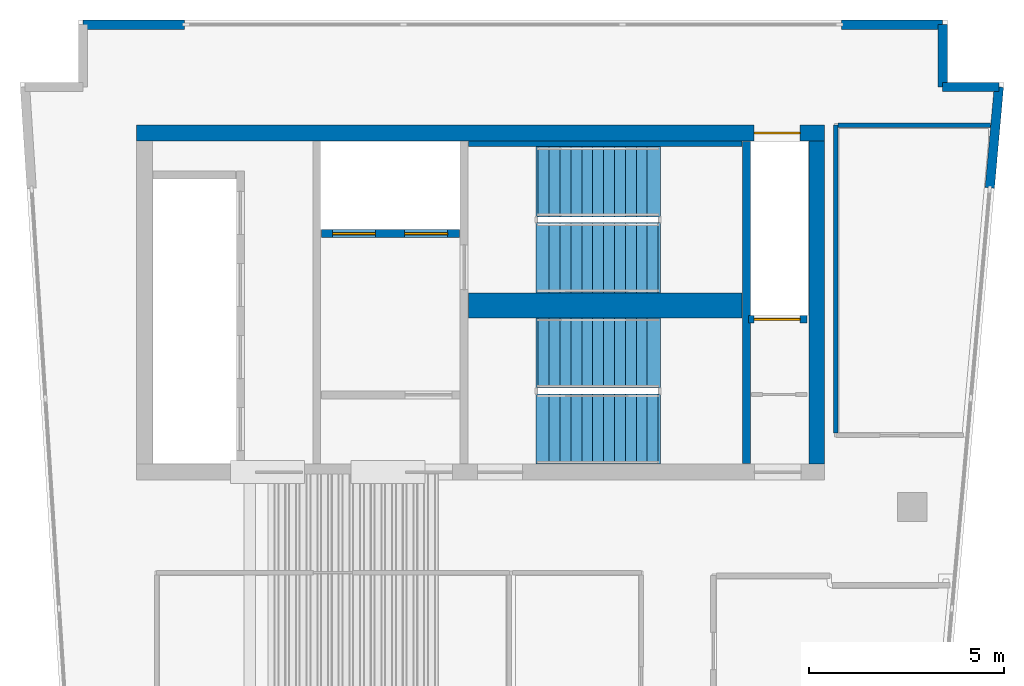
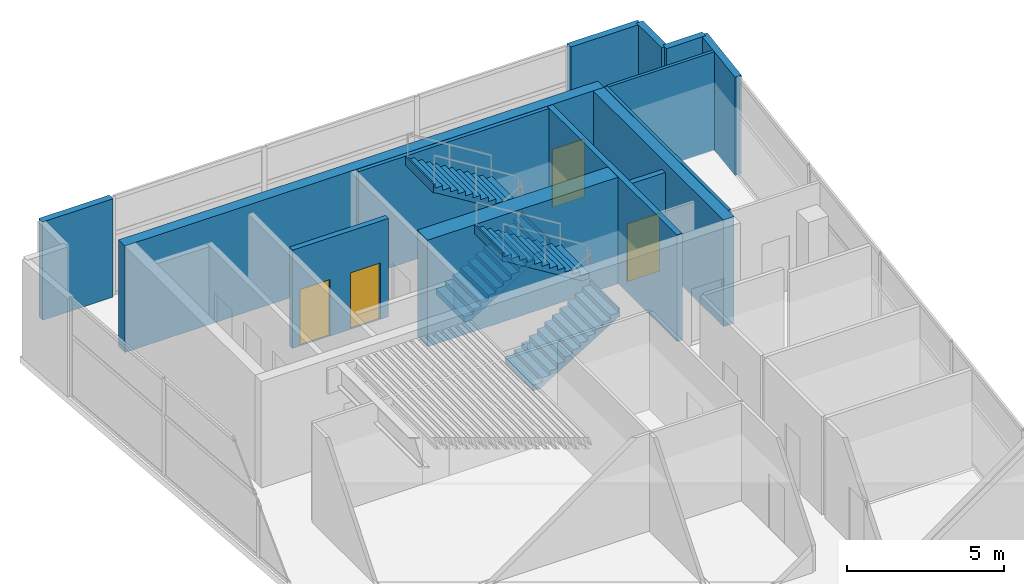
# One storey, part 5 of 7: 14 walls, 4 doors, 4 stair flights, 4 openings, 2 elements without a shape of their own.
"""IFC4 building model written with IfcOpenShell, lengths in metres."""

from ifc_helpers import new_model, si_unit, direction, frame, frame_2d, origin, place, context, subcontext, project, spatial, polyline, rectangle, outline, extrude, material, layer, layer_set, type_object, element, fill, aggregate, save


model = new_model("IFC4")

# Units and contexts
model_context = context("Model", 3, precision=1e-05, world=origin(), true_north=direction((0.0, 1.0)))
body_context = subcontext(model_context, "Body", "Model", "MODEL_VIEW")
ifc_project = project(units=[si_unit("LENGTHUNIT", "METRE"), si_unit("AREAUNIT", "SQUARE_METRE"), si_unit("VOLUMEUNIT", "CUBIC_METRE"), si_unit("PLANEANGLEUNIT", "RADIAN"), si_unit("MASSUNIT", "GRAM", prefix="KILO")], contexts=[model_context])

# Site, building, storey
site_placement = place(None, origin())
site = spatial("IfcSite", under=ifc_project, at=site_placement, CompositionType="ELEMENT")
building_placement = place(site_placement, origin())
building = spatial("IfcBuilding", under=site, at=building_placement, Name="Caeloran Harvest Quay", CompositionType="ELEMENT")
storey_placement = place(building_placement, frame((0.0, 0.0, 319.89990234375)))
storey = spatial("IfcBuildingStorey", under=building, at=storey_placement, Name="L77", CompositionType="ELEMENT", Elevation=319.89990234375)

# Walls
ifc_material_1 = material(Name="Precast concrete C50/60", Category="concrete")
ifc_layer_1 = layer(ifc_material_1, 0.239990234375, Name="Precast concrete C50/60")
ifc_layer_set_1 = layer_set([ifc_layer_1], Name="Precast concrete C50/60")
wall_type_1 = type_object("IfcWallType", Name="ENV-WALL-EW-240", PredefinedType="STANDARD", material=ifc_layer_set_1)
for number, where, z_axis, x_axis, name in (
    (1, (4.219970703125, 43.3798828125, 0.0), (0.0, 0.0, 1.0), (1.0, 0.0, 0.0), "L77 Exterior Facade Corner Pier Wall 6A"),
    (2, (23.679931640625, 43.3798828125, 0.0), (0.0, 0.0, 1.0), (1.0, 0.0, 0.0), "L77 Exterior Facade Corner Pier Wall 6B"),
):
    element("IfcWall", number, at=place(storey_placement, frame(where, z_axis=z_axis, x_axis=x_axis)), inside=storey, type_object=wall_type_1, Name=name, PredefinedType="STANDARD", context=body_context, shape_type="SweptSolid", body=[
        extrude(rectangle(XDim=2.60009765625, YDim=0.239990234375, at=frame_2d((1.300048828125, 0.0))), origin(), (0.0, 0.0, 1.0), 3.830078125),
    ])
wall_1_placement = place(storey_placement, frame((26.280029296875, 43.3798828125, 0.0), z_axis=(0.0, 0.0, 1.0), x_axis=(0.0, -1.0, 0.0)))
element("IfcWall", 3, at=wall_1_placement, inside=storey, type_object=wall_type_1, Name="L77 Exterior Precast Concrete Facade Wall 7", PredefinedType="STANDARD", context=body_context, shape_type="SweptSolid", body=[
    extrude(rectangle(XDim=1.599853515625, YDim=0.239990234375, at=frame_2d((0.7998046875, 0.0))), origin(), (0.0, 0.0, 1.0), 3.830078125),
])
wall_2_placement = place(storey_placement, frame((26.280029296875, 41.780029296875, 0.0), z_axis=(0.0, 0.0, 1.0), x_axis=(1.0, 0.0, 0.0)))
element("IfcWall", 4, at=wall_2_placement, inside=storey, type_object=wall_type_1, Name="L77 Exterior Precast Concrete Facade Wall 8", PredefinedType="STANDARD", context=body_context, shape_type="SweptSolid", body=[
    extrude(rectangle(XDim=1.4443359375, YDim=0.239990234375, at=frame_2d((0.72216796875, 0.0))), origin(), (0.0, 0.0, 1.0), 3.830078125),
])
wall_3_placement = place(storey_placement, frame((27.724365234375, 41.780029296875, 0.0), z_axis=(0.0, 0.0, 1.0), x_axis=(-0.089765303723, -0.995962946222, 0.0)))
element("IfcWall", 5, at=wall_3_placement, inside=storey, type_object=wall_type_1, Name="L77 Exterior Facade Corner Pier Wall 9A", PredefinedType="STANDARD", context=body_context, shape_type="SweptSolid", body=[
    extrude(rectangle(XDim=2.60009765625, YDim=0.239990234375, at=frame_2d((1.300048828125, 0.0))), origin(), (0.0, 0.0, 1.0), 3.830078125),
])
ifc_material_2 = material(Name="Single-Stud Acoustic Gypsum Office Partition", Category="gypsum")
ifc_layer_2 = layer(ifc_material_2, 0.112060546875, Name="Single-Stud Acoustic Gypsum Office Partition")
ifc_layer_set_2 = layer_set([ifc_layer_2], Name="Single-Stud Acoustic Gypsum Office Partition")
wall_type_2 = type_object("IfcWallType", Name="INT-WALL-PW-112", PredefinedType="PARTITIONING", material=ifc_layer_set_2)
wall_4_placement = place(storey_placement, frame((23.5400390625, 32.90087890625, 0.0), z_axis=(0.0, 0.0, 1.0), x_axis=(0.0, 1.0, 0.0)))
element("IfcWall", 6, at=wall_4_placement, inside=storey, type_object=wall_type_2, Name="L77 Bioinformatics and Crop Phenotyping Laboratory Partition Wall", PredefinedType="PARTITIONING", context=body_context, shape_type="SweptSolid", body=[
    extrude(rectangle(XDim=7.899169921875, YDim=0.112060546875, at=frame_2d((3.94970703125, 0.0))), origin(), (0.0, 0.0, 1.0), 3.830078125),
])
wall_5_placement = place(storey_placement, frame((23.60107421875, 40.800048828125, 0.0), z_axis=(0.0, 0.0, 1.0), x_axis=(1.0, 0.0, 0.0)))
element("IfcWall", 7, at=wall_5_placement, inside=storey, type_object=wall_type_2, Name="L77 Bioinformatics and Crop Phenotyping Laboratory Partition Wall", PredefinedType="PARTITIONING", context=body_context, shape_type="SweptSolid", body=[
    extrude(rectangle(XDim=3.909423828125, YDim=0.112060546875, at=frame_2d((1.95458984375, 0.0))), origin(), (0.0, 0.0, 1.0), 3.830078125),
])

# Wall, openings, doors
ifc_material_3 = material(Name="Concrete C50/60", Category="concrete")
ifc_layer_3 = layer(ifc_material_3, 0.199951171875, Name="Concrete C50/60")
ifc_layer_set_3 = layer_set([ifc_layer_3], Name="Concrete C50/60")
wall_type_3 = type_object("IfcWallType", Name="INT-WALL-SW-200", PredefinedType="PARTITIONING", material=ifc_layer_set_3)
wall_6_placement = place(storey_placement, frame((10.340087890625, 38.02001953125, 0.0), z_axis=(0.0, 0.0, 1.0), x_axis=(1.0, 0.0, 0.0)))
wall_6 = element("IfcWall", 8, at=wall_6_placement, inside=storey, type_object=wall_type_3, Name="L77 Firefighting Lift Shaft Wall", PredefinedType="PARTITIONING", context=body_context, shape_type="SweptSolid", body=[
    extrude(rectangle(XDim=3.539794921875, YDim=0.199951171875, at=frame_2d((1.77001953125, 0.0))), origin(), (0.0, 0.0, 1.0), 3.830078125),
])
opening_1_placement = place(wall_6_placement, frame((0.284912109375, 0.0, 0.0)))
opening_1 = element("IfcOpeningElement", 9, at=opening_1_placement, cuts=wall_6, Name="Opening LD-01", PredefinedType="OPENING", context=body_context, shape_type="SweptSolid", body=[
    extrude(rectangle(XDim=1.10009765625, YDim=2.199951171875, at=frame_2d((0.550048828125, 1.10009765625))), frame((0.0, 0.10986328125, 0.0), z_axis=(0.0, -1.0, 0.0), x_axis=(1.0, 0.0, 0.0)), (0.0, 0.0, 1.0), 0.219970703125),
])
opening_2_placement = place(wall_6_placement, frame((2.135009765625, 0.0, 0.0)))
opening_2 = element("IfcOpeningElement", 10, at=opening_2_placement, cuts=wall_6, Name="Opening LD-01", PredefinedType="OPENING", context=body_context, shape_type="SweptSolid", body=[
    extrude(rectangle(XDim=1.10009765625, YDim=2.199951171875, at=frame_2d((0.550048828125, 1.10009765625))), frame((0.0, 0.10986328125, 0.0), z_axis=(0.0, -1.0, 0.0), x_axis=(1.0, 0.0, 0.0)), (0.0, 0.0, 1.0), 0.219970703125),
])
ifc_material_4 = material(Name="Stainless Steel Grade 316", Category="steel")
door_type_1 = type_object("IfcDoorType", Name="INTDOOR-LD-01", OperationType="NOTDEFINED", PredefinedType="DOOR", material=ifc_material_4)
door_1_placement = place(opening_1_placement, origin())
door_1 = element("IfcDoor", 11, at=door_1_placement, inside=storey, type_object=door_type_1, Name="Lift FF-1 Sliding Landing Door (L77)", OperationType="DOUBLE_DOOR_SLIDING", OverallHeight=2.199951171875, OverallWidth=1.10009765625, PredefinedType="DOOR", context=body_context, shape_type="SweptSolid", body=[
    extrude(rectangle(XDim=1.10009765625, YDim=2.199951171875, at=frame_2d((0.550048828125, 1.10009765625))), frame((0.0, 0.02490234375, 0.0), z_axis=(0.0, -1.0, 0.0), x_axis=(1.0, 0.0, 0.0)), (0.0, 0.0, 1.0), 0.050048828125),
])
fill(opening_1, door_1)
door_2_placement = place(opening_2_placement, origin())
door_2 = element("IfcDoor", 12, at=door_2_placement, inside=storey, type_object=door_type_1, Name="Lift FF-2 Sliding Landing Door (L77)", OperationType="DOUBLE_DOOR_SLIDING", OverallHeight=2.199951171875, OverallWidth=1.10009765625, PredefinedType="DOOR", context=body_context, shape_type="SweptSolid", body=[
    extrude(rectangle(XDim=1.10009765625, YDim=2.199951171875, at=frame_2d((0.550048828125, 1.10009765625))), frame((0.0, 0.02490234375, 0.0), z_axis=(0.0, -1.0, 0.0), x_axis=(1.0, 0.0, 0.0)), (0.0, 0.0, 1.0), 0.050048828125),
])
fill(opening_2, door_2)

# Wall, opening, door
wall_7_placement = place(storey_placement, frame((21.300048828125, 35.820068359375, 0.0), z_axis=(0.0, 0.0, 1.0), x_axis=(1.0, 0.0, 0.0)))
wall_7 = element("IfcWall", 13, at=wall_7_placement, inside=storey, type_object=wall_type_3, Name="L77 Service Lift SV-2 Shaft Wall", PredefinedType="PARTITIONING", context=body_context, shape_type="SweptSolid", body=[
    extrude(rectangle(XDim=1.5, YDim=0.199951171875, at=frame_2d((0.75, 0.0))), origin(), (0.0, 0.0, 1.0), 3.830078125),
])
opening_3_placement = place(wall_7_placement, frame((0.14501953125, 0.0, 0.0)))
opening_3 = element("IfcOpeningElement", 14, at=opening_3_placement, cuts=wall_7, Name="Opening LD-02", PredefinedType="OPENING", context=body_context, shape_type="SweptSolid", body=[
    extrude(rectangle(XDim=1.179931640625, YDim=2.25, at=frame_2d((0.58984375, 1.125))), frame((0.0, 0.10986328125, 0.0), z_axis=(0.0, -1.0, 0.0), x_axis=(1.0, 0.0, 0.0)), (0.0, 0.0, 1.0), 0.219970703125),
])
door_type_2 = type_object("IfcDoorType", Name="INTDOOR-LD-02", OperationType="NOTDEFINED", PredefinedType="DOOR", material=ifc_material_4)
door_3_placement = place(opening_3_placement, origin())
door_3 = element("IfcDoor", 15, at=door_3_placement, inside=storey, type_object=door_type_2, Name="Lift SV-2 Sliding Landing Door (L77)", OperationType="DOUBLE_DOOR_SLIDING", OverallHeight=2.25, OverallWidth=1.179931640625, PredefinedType="DOOR", context=body_context, shape_type="SweptSolid", body=[
    extrude(rectangle(XDim=1.179931640625, YDim=2.25, at=frame_2d((0.58984375, 1.125))), frame((0.0, 0.02490234375, 0.0), z_axis=(0.0, -1.0, 0.0), x_axis=(1.0, 0.0, 0.0)), (0.0, 0.0, 1.0), 0.050048828125),
])
fill(opening_3, door_3)

ifc_material_5 = material(Name="Concrete C60/75", Category="concrete")
ifc_layer_4 = layer(ifc_material_5, 0.39990234375, Name="Concrete C60/75")
ifc_layer_set_4 = layer_set([ifc_layer_4], Name="Concrete C60/75")
wall_type_4 = type_object("IfcWallType", Name="STR-WALL-CW-400", PredefinedType="SHEAR", material=ifc_layer_set_4)
wall_8_placement = place(storey_placement, frame((5.60009765625, 40.60009765625, 0.0), z_axis=(0.0, 0.0, 1.0), x_axis=(1.0, 0.0, 0.0)))
wall_8 = element("IfcWall", 16, at=wall_8_placement, inside=storey, type_object=wall_type_4, Name="L77 Rear Core Shear Wall N", PredefinedType="SHEAR", context=body_context, shape_type="SweptSolid", body=[
    extrude(rectangle(XDim=17.64990234375, YDim=0.39990234375, at=frame_2d((8.824951171875, 0.0))), origin(), (0.0, 0.0, 1.0), 4.150146484375),
])
opening_4_placement = place(wall_8_placement, frame((15.844970703125, 0.0, 0.0)))
opening_4 = element("IfcOpeningElement", 17, at=opening_4_placement, cuts=wall_8, Name="Opening LD-02", PredefinedType="OPENING", context=body_context, shape_type="SweptSolid", body=[
    extrude(rectangle(XDim=1.179931640625, YDim=2.25, at=frame_2d((0.58984375, 1.125))), frame((0.0, 0.2099609375, 0.0), z_axis=(0.0, -1.0, 0.0), x_axis=(1.0, 0.0, 0.0)), (0.0, 0.0, 1.0), 0.419921875),
])
door_4_placement = place(opening_4_placement, origin())
door_4 = element("IfcDoor", 18, at=door_4_placement, inside=storey, type_object=door_type_2, Name="Lift SV-1 Sliding Landing Door (L77)", OperationType="DOUBLE_DOOR_SLIDING", OverallHeight=2.25, OverallWidth=1.179931640625, PredefinedType="DOOR", context=body_context, shape_type="SweptSolid", body=[
    extrude(rectangle(XDim=1.179931640625, YDim=2.25, at=frame_2d((0.58984375, 1.125))), frame((0.0, 0.02490234375, 0.0), z_axis=(0.0, -1.0, 0.0), x_axis=(1.0, 0.0, 0.0)), (0.0, 0.0, 1.0), 0.050048828125),
])
fill(opening_4, door_4)

# Walls
wall_9_placement = place(storey_placement, frame((23.050048828125, 32.10009765625, 0.0), z_axis=(0.0, 0.0, 1.0), x_axis=(0.0, 1.0, 0.0)))
element("IfcWall", 19, at=wall_9_placement, inside=storey, type_object=wall_type_4, Name="L77 Rear Core Shear Wall E", PredefinedType="SHEAR", context=body_context, shape_type="SweptSolid", body=[
    extrude(rectangle(XDim=8.2998046875, YDim=0.39990234375, at=frame_2d((4.14990234375, 0.0))), origin(), (0.0, 0.0, 1.0), 4.150146484375),
])
ifc_layer_5 = layer(ifc_material_5, 0.64990234375, Name="Concrete C60/75")
ifc_layer_set_5 = layer_set([ifc_layer_5], Name="Concrete C60/75")
wall_type_5 = type_object("IfcWallType", Name="STR-WALL-CW-650", PredefinedType="SHEAR", material=ifc_layer_set_5)
wall_10_placement = place(storey_placement, frame((14.1201171875, 36.175048828125, 0.0), z_axis=(0.0, 0.0, 1.0), x_axis=(1.0, 0.0, 0.0)))
element("IfcWall", 20, at=wall_10_placement, inside=storey, type_object=wall_type_5, Name="L77 Core Stairs Dividing Shear Wall", PredefinedType="SHEAR", context=body_context, shape_type="SweptSolid", body=[
    extrude(rectangle(XDim=7.009765625, YDim=0.64990234375, at=frame_2d((3.5048828125, 0.0))), origin(), (0.0, 0.0, 1.0), 4.150146484375),
])
ifc_layer_6 = layer(ifc_material_5, 0.139892578125, Name="Concrete C60/75")
ifc_layer_set_6 = layer_set([ifc_layer_6], Name="Concrete C60/75")
wall_type_6 = type_object("IfcWallType", Name="STR-WALL-SW-140", PredefinedType="SHEAR", material=ifc_layer_set_6)
wall_11_placement = place(storey_placement, frame((14.1201171875, 40.320068359375, 0.0), z_axis=(0.0, 0.0, 1.0), x_axis=(1.0, 0.0, 0.0)))
element("IfcWall", 21, at=wall_11_placement, inside=storey, type_object=wall_type_6, Name="L77 Core Stair ST-C1 North Bearing Shear Wall", PredefinedType="SHEAR", context=body_context, shape_type="SweptSolid", body=[
    extrude(rectangle(XDim=7.009765625, YDim=0.139892578125, at=frame_2d((3.5048828125, 0.0))), origin(), (0.0, 0.0, 1.0), 4.150146484375),
])
ifc_layer_7 = layer(ifc_material_5, 0.199951171875, Name="Concrete C60/75")
ifc_layer_set_7 = layer_set([ifc_layer_7], Name="Concrete C60/75")
wall_type_7 = type_object("IfcWallType", Name="STR-WALL-SW-200", PredefinedType="SHEAR", material=ifc_layer_set_7)
wall_12_placement = place(storey_placement, frame((21.25, 32.1201171875, 0.0), z_axis=(0.0, 0.0, 1.0), x_axis=(0.0, 1.0, 0.0)))
element("IfcWall", 22, at=wall_12_placement, inside=storey, type_object=wall_type_7, Name="L77 Core Stair Shaft East Shear Wall", PredefinedType="SHEAR", context=body_context, shape_type="SweptSolid", body=[
    extrude(rectangle(XDim=8.259765625, YDim=0.199951171875, at=frame_2d((4.1298828125, 0.0))), origin(), (0.0, 0.0, 1.0), 4.150146484375),
])

# Stair, stair flights
stair_type = type_object("IfcStairType", Name="STAIR-STC-180", PredefinedType="HALF_TURN_STAIR", material=ifc_material_3)
stair_1_placement = place(storey_placement, origin())
stair_1 = element("IfcStair", 23, at=stair_1_placement, inside=storey, type_object=stair_type, Name="L77 Core Pressurized Exit Stair ST-C1", PredefinedType="HALF_TURN_STAIR")
stair_flight_type = type_object("IfcStairFlightType", Name="FLIGHT-STC-180", PredefinedType="STRAIGHT", material=ifc_material_3)
stair_flight_1_placement = place(storey_placement, frame((15.89990234375, 37.39990234375, 0.0), z_axis=(0.0, 0.0, 1.0), x_axis=(1.0, 0.0, 0.0)))
stair_flight_1 = element("IfcStairFlight", 24, at=stair_flight_1_placement, type_object=stair_flight_type, Name="ST-C1 flight 1", NumberOfRisers=12, NumberOfTreads=11, PredefinedType="STRAIGHT", RiserHeight=0.172916667, TreadLength=0.28, context=body_context, shape_type="SweptSolid", body=[
    extrude(outline(polyline([(-0.054931640625, -0.044921875), (-0.054931640625, -0.031494140625), (-0.054931640625, -0.017822265625), (-0.054931640625, -0.004150390625), (-0.054931640625, 0.009521484375), (-0.054931640625, 0.023193359375), (-0.054931640625, 0.03662109375), (-0.054931640625, 0.05029296875), (-0.054931640625, 0.06396484375), (-0.054931640625, 0.07763671875), (-0.054931640625, 0.09130859375), (-0.054931640625, 0.104736328125), (-0.054931640625, 0.118408203125), (-0.054931640625, 0.132080078125), (-0.054931640625, 0.145751953125), (-0.054931640625, 0.1591796875), (-0.054931640625, 0.1728515625), (0.280029296875, 0.1728515625), (0.280029296875, 0.345947265625), (0.56005859375, 0.345947265625), (0.56005859375, 0.518798828125), (0.840087890625, 0.518798828125), (0.840087890625, 0.691650390625), (1.1201171875, 0.691650390625), (1.1201171875, 0.864501953125), (1.39990234375, 0.864501953125), (1.39990234375, 1.03759765625), (1.679931640625, 1.03759765625), (1.679931640625, 1.21044921875), (1.9599609375, 1.21044921875), (1.9599609375, 1.38330078125), (2.239990234375, 1.38330078125), (2.239990234375, 1.55615234375), (2.52001953125, 1.55615234375), (2.52001953125, 1.729248046875), (2.800048828125, 1.729248046875), (2.800048828125, 1.902099609375), (3.080078125, 1.902099609375), (3.080078125, 2.074951171875), (3.135009765625, 2.074951171875), (3.135009765625, 2.05322265625), (3.135009765625, 2.03125), (3.135009765625, 2.009521484375), (3.135009765625, 1.98779296875), (3.135009765625, 1.9658203125), (3.135009765625, 1.944091796875), (3.135009765625, 1.92236328125), (3.135009765625, 1.900390625), (3.135009765625, 1.878662109375), (3.135009765625, 1.85693359375), (3.135009765625, 1.8349609375), (3.135009765625, 1.813232421875), (3.135009765625, 1.791259765625), (3.135009765625, 1.76953125), (3.135009765625, 1.747802734375), (3.135009765625, 1.725830078125), (3.080078125, 1.725830078125), (0.21240234375, -0.044921875), (-0.054931640625, -0.044921875)])), frame((0.0, 0.89990234375, 0.0), z_axis=(0.0, -1.0, 0.0), x_axis=(1.0, 0.0, 0.0)), (0.0, 0.0, 1.0), 1.800048828125),
])
stair_flight_2_placement = place(storey_placement, frame((18.97998046875, 39.35009765625, 2.0751953125), z_axis=(0.0, 0.0, 1.0), x_axis=(-1.0, 0.0, 0.0)))
stair_flight_2 = element("IfcStairFlight", 25, at=stair_flight_2_placement, type_object=stair_flight_type, Name="ST-C1 flight 2", NumberOfRisers=12, NumberOfTreads=11, PredefinedType="STRAIGHT", RiserHeight=0.172916667, TreadLength=0.28, context=body_context, shape_type="SweptSolid", body=[
    extrude(outline(polyline([(-0.054931640625, -0.044921875), (-0.054931640625, -0.031494140625), (-0.054931640625, -0.017822265625), (-0.054931640625, -0.004150390625), (-0.054931640625, 0.009521484375), (-0.054931640625, 0.023193359375), (-0.054931640625, 0.03662109375), (-0.054931640625, 0.05029296875), (-0.054931640625, 0.06396484375), (-0.054931640625, 0.07763671875), (-0.054931640625, 0.09130859375), (-0.054931640625, 0.104736328125), (-0.054931640625, 0.118408203125), (-0.054931640625, 0.132080078125), (-0.054931640625, 0.145751953125), (-0.054931640625, 0.1591796875), (-0.054931640625, 0.1728515625), (0.280029296875, 0.1728515625), (0.280029296875, 0.345947265625), (0.56005859375, 0.345947265625), (0.56005859375, 0.518798828125), (0.840087890625, 0.518798828125), (0.840087890625, 0.691650390625), (1.1201171875, 0.691650390625), (1.1201171875, 0.864501953125), (1.39990234375, 0.864501953125), (1.39990234375, 1.03759765625), (1.679931640625, 1.03759765625), (1.679931640625, 1.21044921875), (1.9599609375, 1.21044921875), (1.9599609375, 1.38330078125), (2.239990234375, 1.38330078125), (2.239990234375, 1.55615234375), (2.52001953125, 1.55615234375), (2.52001953125, 1.729248046875), (2.800048828125, 1.729248046875), (2.800048828125, 1.902099609375), (3.080078125, 1.902099609375), (3.080078125, 2.074951171875), (3.135009765625, 2.074951171875), (3.135009765625, 2.05322265625), (3.135009765625, 2.03125), (3.135009765625, 2.009521484375), (3.135009765625, 1.98779296875), (3.135009765625, 1.9658203125), (3.135009765625, 1.944091796875), (3.135009765625, 1.92236328125), (3.135009765625, 1.900390625), (3.135009765625, 1.878662109375), (3.135009765625, 1.85693359375), (3.135009765625, 1.8349609375), (3.135009765625, 1.813232421875), (3.135009765625, 1.791259765625), (3.135009765625, 1.76953125), (3.135009765625, 1.747802734375), (3.135009765625, 1.725830078125), (3.080078125, 1.725830078125), (0.21240234375, -0.044921875), (-0.054931640625, -0.044921875)])), frame((0.0, 0.89990234375, 0.0), z_axis=(0.0, -1.0, 0.0), x_axis=(1.0, 0.0, 0.0)), (0.0, 0.0, 1.0), 1.800048828125),
])
aggregate(stair_1, [stair_flight_1, stair_flight_2])

stair_2_placement = place(storey_placement, origin())
stair_2 = element("IfcStair", 26, at=stair_2_placement, inside=storey, type_object=stair_type, Name="L77 Core Pressurized Exit Stair ST-C2", PredefinedType="HALF_TURN_STAIR")
stair_flight_3_placement = place(storey_placement, frame((15.89990234375, 33.0, 0.0), z_axis=(0.0, 0.0, 1.0), x_axis=(1.0, 0.0, 0.0)))
stair_flight_3 = element("IfcStairFlight", 27, at=stair_flight_3_placement, type_object=stair_flight_type, Name="ST-C2 flight 1", NumberOfRisers=12, NumberOfTreads=11, PredefinedType="STRAIGHT", RiserHeight=0.172916667, TreadLength=0.28, context=body_context, shape_type="SweptSolid", body=[
    extrude(outline(polyline([(-0.054931640625, -0.044921875), (-0.054931640625, -0.031494140625), (-0.054931640625, -0.017822265625), (-0.054931640625, -0.004150390625), (-0.054931640625, 0.009521484375), (-0.054931640625, 0.023193359375), (-0.054931640625, 0.03662109375), (-0.054931640625, 0.05029296875), (-0.054931640625, 0.06396484375), (-0.054931640625, 0.07763671875), (-0.054931640625, 0.09130859375), (-0.054931640625, 0.104736328125), (-0.054931640625, 0.118408203125), (-0.054931640625, 0.132080078125), (-0.054931640625, 0.145751953125), (-0.054931640625, 0.1591796875), (-0.054931640625, 0.1728515625), (0.280029296875, 0.1728515625), (0.280029296875, 0.345947265625), (0.56005859375, 0.345947265625), (0.56005859375, 0.518798828125), (0.840087890625, 0.518798828125), (0.840087890625, 0.691650390625), (1.1201171875, 0.691650390625), (1.1201171875, 0.864501953125), (1.39990234375, 0.864501953125), (1.39990234375, 1.03759765625), (1.679931640625, 1.03759765625), (1.679931640625, 1.21044921875), (1.9599609375, 1.21044921875), (1.9599609375, 1.38330078125), (2.239990234375, 1.38330078125), (2.239990234375, 1.55615234375), (2.52001953125, 1.55615234375), (2.52001953125, 1.729248046875), (2.800048828125, 1.729248046875), (2.800048828125, 1.902099609375), (3.080078125, 1.902099609375), (3.080078125, 2.074951171875), (3.135009765625, 2.074951171875), (3.135009765625, 2.05322265625), (3.135009765625, 2.03125), (3.135009765625, 2.009521484375), (3.135009765625, 1.98779296875), (3.135009765625, 1.9658203125), (3.135009765625, 1.944091796875), (3.135009765625, 1.92236328125), (3.135009765625, 1.900390625), (3.135009765625, 1.878662109375), (3.135009765625, 1.85693359375), (3.135009765625, 1.8349609375), (3.135009765625, 1.813232421875), (3.135009765625, 1.791259765625), (3.135009765625, 1.76953125), (3.135009765625, 1.747802734375), (3.135009765625, 1.725830078125), (3.080078125, 1.725830078125), (0.21240234375, -0.044921875), (-0.054931640625, -0.044921875)])), frame((0.0, 0.89990234375, 0.0), z_axis=(0.0, -1.0, 0.0), x_axis=(1.0, 0.0, 0.0)), (0.0, 0.0, 1.0), 1.800048828125),
])
stair_flight_4_placement = place(storey_placement, frame((18.97998046875, 34.949951171875, 2.0751953125), z_axis=(0.0, 0.0, 1.0), x_axis=(-1.0, 0.0, 0.0)))
stair_flight_4 = element("IfcStairFlight", 28, at=stair_flight_4_placement, type_object=stair_flight_type, Name="ST-C2 flight 2", NumberOfRisers=12, NumberOfTreads=11, PredefinedType="STRAIGHT", RiserHeight=0.172916667, TreadLength=0.28, context=body_context, shape_type="SweptSolid", body=[
    extrude(outline(polyline([(-0.054931640625, -0.044921875), (-0.054931640625, -0.031494140625), (-0.054931640625, -0.017822265625), (-0.054931640625, -0.004150390625), (-0.054931640625, 0.009521484375), (-0.054931640625, 0.023193359375), (-0.054931640625, 0.03662109375), (-0.054931640625, 0.05029296875), (-0.054931640625, 0.06396484375), (-0.054931640625, 0.07763671875), (-0.054931640625, 0.09130859375), (-0.054931640625, 0.104736328125), (-0.054931640625, 0.118408203125), (-0.054931640625, 0.132080078125), (-0.054931640625, 0.145751953125), (-0.054931640625, 0.1591796875), (-0.054931640625, 0.1728515625), (0.280029296875, 0.1728515625), (0.280029296875, 0.345947265625), (0.56005859375, 0.345947265625), (0.56005859375, 0.518798828125), (0.840087890625, 0.518798828125), (0.840087890625, 0.691650390625), (1.1201171875, 0.691650390625), (1.1201171875, 0.864501953125), (1.39990234375, 0.864501953125), (1.39990234375, 1.03759765625), (1.679931640625, 1.03759765625), (1.679931640625, 1.21044921875), (1.9599609375, 1.21044921875), (1.9599609375, 1.38330078125), (2.239990234375, 1.38330078125), (2.239990234375, 1.55615234375), (2.52001953125, 1.55615234375), (2.52001953125, 1.729248046875), (2.800048828125, 1.729248046875), (2.800048828125, 1.902099609375), (3.080078125, 1.902099609375), (3.080078125, 2.074951171875), (3.135009765625, 2.074951171875), (3.135009765625, 2.05322265625), (3.135009765625, 2.03125), (3.135009765625, 2.009521484375), (3.135009765625, 1.98779296875), (3.135009765625, 1.9658203125), (3.135009765625, 1.944091796875), (3.135009765625, 1.92236328125), (3.135009765625, 1.900390625), (3.135009765625, 1.878662109375), (3.135009765625, 1.85693359375), (3.135009765625, 1.8349609375), (3.135009765625, 1.813232421875), (3.135009765625, 1.791259765625), (3.135009765625, 1.76953125), (3.135009765625, 1.747802734375), (3.135009765625, 1.725830078125), (3.080078125, 1.725830078125), (0.21240234375, -0.044921875), (-0.054931640625, -0.044921875)])), frame((0.0, 0.89990234375, 0.0), z_axis=(0.0, -1.0, 0.0), x_axis=(1.0, 0.0, 0.0)), (0.0, 0.0, 1.0), 1.800048828125),
])
aggregate(stair_2, [stair_flight_3, stair_flight_4])

save(model, "model.ifc")
